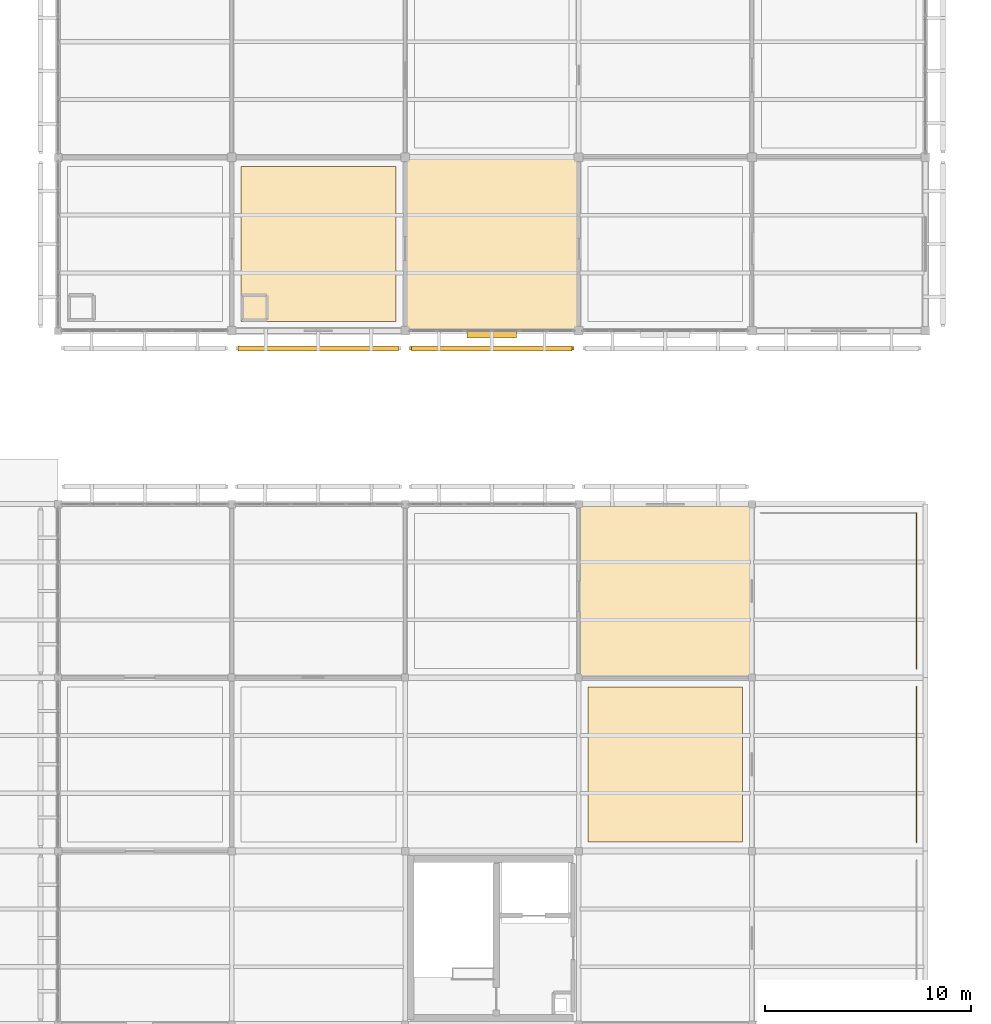
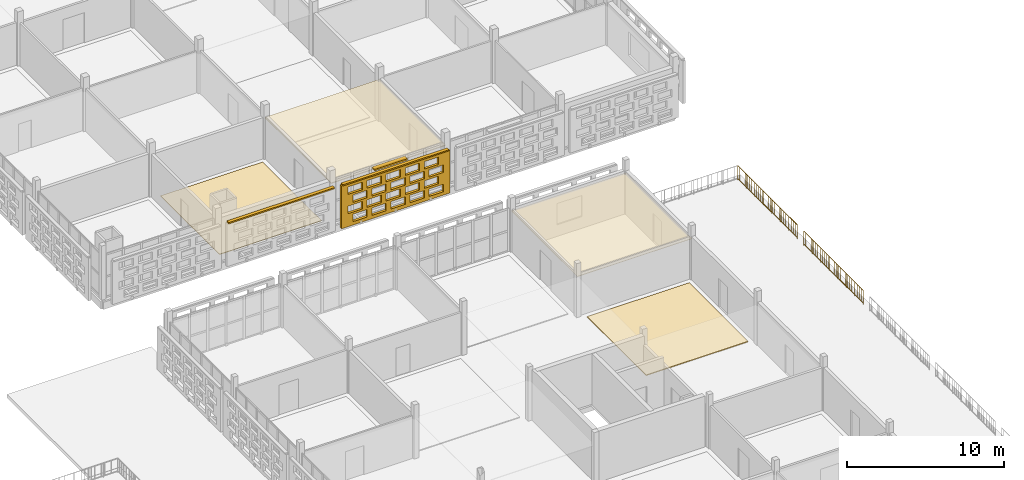
# One storey, part 157 of 166: 5 coverings, 3 shading devices, 2 railings, 20 openings.
"""IFC4 building model written with IfcOpenShell, lengths in metres."""

from ifc_helpers import new_model, si_unit, direction, frame, frame_2d, origin, origin_2d, place, context, subcontext, project, spatial, rectangle, circle, extrude, material, layer, layer_set, type_object, element, save


model = new_model("IFC4")

# Units and contexts
model_context = context("Model", 3, precision=1e-05, world=origin(), true_north=direction((0.0, 1.0)))
body_context = subcontext(model_context, "Body", "Model", "MODEL_VIEW")
ifc_project = project(units=[si_unit("LENGTHUNIT", "METRE"), si_unit("AREAUNIT", "SQUARE_METRE"), si_unit("VOLUMEUNIT", "CUBIC_METRE"), si_unit("PLANEANGLEUNIT", "RADIAN"), si_unit("MASSUNIT", "GRAM", prefix="KILO")], contexts=[model_context])

# Site, building, storey
site_placement = place(None, origin())
site = spatial("IfcSite", under=ifc_project, at=site_placement, CompositionType="ELEMENT")
building_placement = place(site_placement, origin())
building = spatial("IfcBuilding", under=site, at=building_placement, Name="Varnapada Polytechnic", CompositionType="ELEMENT")
storey_placement = place(building_placement, frame((0.0, 0.0, 9.60009765625)))
storey = spatial("IfcBuildingStorey", under=building, at=storey_placement, Name="L02", CompositionType="ELEMENT", Elevation=9.60009765625)

# Coverings
ifc_material_1 = material(Name="Anti-Static Raised Laboratory Flooring")
ifc_layer_1 = layer(ifc_material_1, 0.06005859375)
ifc_layer_set_1 = layer_set([ifc_layer_1], Name="Anti-Static Raised Laboratory Flooring")
covering_type_1 = type_object("IfcCoveringType", Name="Floor Finish FLR-02", PredefinedType="FLOORING", material=ifc_layer_set_1)
covering_1_placement = place(storey_placement, frame((163.800048828125, 37.800048828125, -0.000244140625), z_axis=(0.0, 0.0, 1.0), x_axis=(1.0, 0.0, 0.0)))
element("IfcCovering", 1, at=covering_1_placement, inside=storey, type_object=covering_type_1, Name="L02 floor finish panel (20,5)", PredefinedType="FLOORING", context=body_context, shape_type="SweptSolid", body=[
    extrude(rectangle(XDim=7.5, YDim=7.5, at=origin_2d()), origin(), (0.0, 0.0, 1.0), 0.06005859375),
])
ifc_material_2 = material(Name="Acoustic Rubber Seminar Flooring")
ifc_layer_2 = layer(ifc_material_2, 0.0400390625)
ifc_layer_set_2 = layer_set([ifc_layer_2], Name="Acoustic Rubber Seminar Flooring")
covering_type_2 = type_object("IfcCoveringType", Name="Floor Finish FLR-06", PredefinedType="FLOORING", material=ifc_layer_set_2)
covering_2_placement = place(storey_placement, frame((147.0, 63.0, 0.0), z_axis=(0.0, 0.0, 1.0), x_axis=(1.0, 0.0, 0.0)))
element("IfcCovering", 2, at=covering_2_placement, inside=storey, type_object=covering_type_2, Name="L02 floor finish panel (18,8)", PredefinedType="FLOORING", context=body_context, shape_type="SweptSolid", body=[
    extrude(rectangle(XDim=7.5, YDim=7.5, at=origin_2d()), origin(), (0.0, 0.0, 1.0), 0.0400390625),
])

# Shading device
ifc_material_3 = material(Name="Anodised aluminium", Category="aluminium")
ifc_layer_3 = layer(ifc_material_3, 0.35009765625)
ifc_layer_set_3 = layer_set([ifc_layer_3], Name="Anodised aluminium")
shading_device_type_1 = type_object("IfcShadingDeviceType", Name="Solar Louvre LVR-01", PredefinedType="JALOUSIE", material=ifc_layer_set_3)
shading_device_placement = place(storey_placement, frame((155.39990234375, 58.6201171875, 3.159912109375), z_axis=(0.0, 0.0, 1.0), x_axis=(-1.0, 0.0, 0.0)))
element("IfcShadingDevice", 3, at=shading_device_placement, inside=storey, type_object=shading_device_type_1, Name="L02 aluminium sun louvre 97", PredefinedType="JALOUSIE", context=body_context, shape_type="SweptSolid", body=[
    extrude(rectangle(XDim=2.39990234375, YDim=0.340087890625, at=origin_2d()), origin(), (0.0, 0.0, 1.0), 0.1201171875),
])

# Coverings
ifc_material_4 = material(Name="Moisture-Resistant Aluminum Baffle Ceiling", Category="aluminium")
ifc_layer_4 = layer(ifc_material_4, 0.030029296875)
ifc_layer_set_4 = layer_set([ifc_layer_4], Name="Moisture-Resistant Aluminum Baffle Ceiling")
covering_type_3 = type_object("IfcCoveringType", Name="Suspended Ceiling CLG-03", PredefinedType="CEILING", material=ifc_layer_set_4)
covering_3_placement = place(storey_placement, frame((163.800048828125, 46.199951171875, 3.03466796875), z_axis=(0.0, 0.0, 1.0), x_axis=(1.0, 0.0, 0.0)))
element("IfcCovering", 4, at=covering_3_placement, inside=storey, type_object=covering_type_3, Name="L02 suspended acoustic ceiling (20,6)", PredefinedType="CEILING", context=body_context, shape_type="SweptSolid", body=[
    extrude(rectangle(XDim=8.419921875, YDim=8.419921875, at=origin_2d()), origin(), (0.0, 0.0, 1.0), 0.030029296875),
])
ifc_material_5 = material(Name="Deep Acoustic Auditorium Cloud Baffle")
ifc_layer_5 = layer(ifc_material_5, 0.06494140625)
ifc_layer_set_5 = layer_set([ifc_layer_5], Name="Deep Acoustic Auditorium Cloud Baffle")
covering_type_4 = type_object("IfcCoveringType", Name="Suspended Ceiling CLG-07", PredefinedType="CEILING", material=ifc_layer_set_5)
covering_4_placement = place(storey_placement, frame((155.39990234375, 63.0, 3.017333984375), z_axis=(0.0, 0.0, 1.0), x_axis=(1.0, 0.0, 0.0)))
element("IfcCovering", 5, at=covering_4_placement, inside=storey, type_object=covering_type_4, Name="L02 suspended acoustic ceiling (19,8)", PredefinedType="CEILING", context=body_context, shape_type="SweptSolid", body=[
    extrude(rectangle(XDim=8.419921875, YDim=8.419921875, at=origin_2d()), origin(), (0.0, 0.0, 1.0), 0.06494140625),
])

# Railings
ifc_material_6 = material(Name="Painted galvanized steel", Category="steel")
railing_type = type_object("IfcRailingType", Name="Terrace Guard Rail GRD-01", PredefinedType="BALUSTRADE", material=ifc_material_6)
railing_1_placement = place(storey_placement, frame((175.97998046875, 34.02001953125, 0.0)))
element("IfcRailing", 6, at=railing_1_placement, inside=storey, type_object=railing_type, Name="L02 terrace perimeter guard rail 23", PredefinedType="BALUSTRADE", context=body_context, shape_type="SweptSolid", body=[
    extrude(circle(Radius=0.02392578125, at=origin_2d()), frame((0.0, 0.0, 1.09619140625), z_axis=(0.0, 1.0, 0.0), x_axis=(-1.0, 0.0, 0.0)), (0.0, 0.0, 1.0), 7.56005859375),
    extrude(circle(Radius=0.02392578125, at=origin_2d()), frame((0.0, 0.0, 0.10009765625), z_axis=(0.0, 1.0, 0.0), x_axis=(-1.0, 0.0, 0.0)), (0.0, 0.0, 1.0), 7.56005859375),
    extrude(circle(Radius=0.02099609375, at=origin_2d()), origin(), (0.0, 0.0, 1.0), 1.072021484375),
    extrude(circle(Radius=0.02099609375, at=origin_2d()), frame((0.0, 1.080078125, 0.0)), (0.0, 0.0, 1.0), 1.072021484375),
    extrude(circle(Radius=0.02099609375, at=origin_2d()), frame((0.0, 2.159912109375, 0.0)), (0.0, 0.0, 1.0), 1.072021484375),
    extrude(circle(Radius=0.02099609375, at=origin_2d()), frame((0.0, 3.239990234375, 0.0)), (0.0, 0.0, 1.0), 1.072021484375),
    extrude(circle(Radius=0.02099609375, at=origin_2d()), frame((0.0, 4.320068359375, 0.0)), (0.0, 0.0, 1.0), 1.072021484375),
    extrude(circle(Radius=0.02099609375, at=origin_2d()), frame((0.0, 5.400146484375, 0.0)), (0.0, 0.0, 1.0), 1.072021484375),
    extrude(circle(Radius=0.02099609375, at=origin_2d()), frame((0.0, 6.47998046875, 0.0)), (0.0, 0.0, 1.0), 1.072021484375),
    extrude(circle(Radius=0.02099609375, at=origin_2d()), frame((0.0, 7.56005859375, 0.0)), (0.0, 0.0, 1.0), 1.072021484375),
    extrude(circle(Radius=0.010009765625, at=origin_2d()), frame((0.0, 0.243896484375, 0.10009765625)), (0.0, 0.0, 1.0), 0.971923828125),
    extrude(circle(Radius=0.010009765625, at=origin_2d()), frame((0.0, 0.48779296875, 0.10009765625)), (0.0, 0.0, 1.0), 0.971923828125),
    extrude(circle(Radius=0.010009765625, at=origin_2d()), frame((0.0, 0.731689453125, 0.10009765625)), (0.0, 0.0, 1.0), 0.971923828125),
    extrude(circle(Radius=0.010009765625, at=origin_2d()), frame((0.0, 0.9755859375, 0.10009765625)), (0.0, 0.0, 1.0), 0.971923828125),
    extrude(circle(Radius=0.010009765625, at=origin_2d()), frame((0.0, 1.219482421875, 0.10009765625)), (0.0, 0.0, 1.0), 0.971923828125),
    extrude(circle(Radius=0.010009765625, at=origin_2d()), frame((0.0, 1.463134765625, 0.10009765625)), (0.0, 0.0, 1.0), 0.971923828125),
    extrude(circle(Radius=0.010009765625, at=origin_2d()), frame((0.0, 1.70703125, 0.10009765625)), (0.0, 0.0, 1.0), 0.971923828125),
    extrude(circle(Radius=0.010009765625, at=origin_2d()), frame((0.0, 1.950927734375, 0.10009765625)), (0.0, 0.0, 1.0), 0.971923828125),
    extrude(circle(Radius=0.010009765625, at=origin_2d()), frame((0.0, 2.19482421875, 0.10009765625)), (0.0, 0.0, 1.0), 0.971923828125),
    extrude(circle(Radius=0.010009765625, at=origin_2d()), frame((0.0, 2.438720703125, 0.10009765625)), (0.0, 0.0, 1.0), 0.971923828125),
    extrude(circle(Radius=0.010009765625, at=origin_2d()), frame((0.0, 2.6826171875, 0.10009765625)), (0.0, 0.0, 1.0), 0.971923828125),
    extrude(circle(Radius=0.010009765625, at=origin_2d()), frame((0.0, 2.926513671875, 0.10009765625)), (0.0, 0.0, 1.0), 0.971923828125),
    extrude(circle(Radius=0.010009765625, at=origin_2d()), frame((0.0, 3.17041015625, 0.10009765625)), (0.0, 0.0, 1.0), 0.971923828125),
    extrude(circle(Radius=0.010009765625, at=origin_2d()), frame((0.0, 3.414306640625, 0.10009765625)), (0.0, 0.0, 1.0), 0.971923828125),
    extrude(circle(Radius=0.010009765625, at=origin_2d()), frame((0.0, 3.658203125, 0.10009765625)), (0.0, 0.0, 1.0), 0.971923828125),
    extrude(circle(Radius=0.010009765625, at=origin_2d()), frame((0.0, 3.90185546875, 0.10009765625)), (0.0, 0.0, 1.0), 0.971923828125),
    extrude(circle(Radius=0.010009765625, at=origin_2d()), frame((0.0, 4.145751953125, 0.10009765625)), (0.0, 0.0, 1.0), 0.971923828125),
    extrude(circle(Radius=0.010009765625, at=origin_2d()), frame((0.0, 4.3896484375, 0.10009765625)), (0.0, 0.0, 1.0), 0.971923828125),
    extrude(circle(Radius=0.010009765625, at=origin_2d()), frame((0.0, 4.633544921875, 0.10009765625)), (0.0, 0.0, 1.0), 0.971923828125),
    extrude(circle(Radius=0.010009765625, at=origin_2d()), frame((0.0, 4.87744140625, 0.10009765625)), (0.0, 0.0, 1.0), 0.971923828125),
    extrude(circle(Radius=0.010009765625, at=origin_2d()), frame((0.0, 5.121337890625, 0.10009765625)), (0.0, 0.0, 1.0), 0.971923828125),
    extrude(circle(Radius=0.010009765625, at=origin_2d()), frame((0.0, 5.365234375, 0.10009765625)), (0.0, 0.0, 1.0), 0.971923828125),
    extrude(circle(Radius=0.010009765625, at=origin_2d()), frame((0.0, 5.609130859375, 0.10009765625)), (0.0, 0.0, 1.0), 0.971923828125),
    extrude(circle(Radius=0.010009765625, at=origin_2d()), frame((0.0, 5.85302734375, 0.10009765625)), (0.0, 0.0, 1.0), 0.971923828125),
    extrude(circle(Radius=0.010009765625, at=origin_2d()), frame((0.0, 6.096923828125, 0.10009765625)), (0.0, 0.0, 1.0), 0.971923828125),
    extrude(circle(Radius=0.010009765625, at=origin_2d()), frame((0.0, 6.340576171875, 0.10009765625)), (0.0, 0.0, 1.0), 0.971923828125),
    extrude(circle(Radius=0.010009765625, at=origin_2d()), frame((0.0, 6.58447265625, 0.10009765625)), (0.0, 0.0, 1.0), 0.971923828125),
    extrude(circle(Radius=0.010009765625, at=origin_2d()), frame((0.0, 6.828369140625, 0.10009765625)), (0.0, 0.0, 1.0), 0.971923828125),
    extrude(circle(Radius=0.010009765625, at=origin_2d()), frame((0.0, 7.072265625, 0.10009765625)), (0.0, 0.0, 1.0), 0.971923828125),
    extrude(circle(Radius=0.010009765625, at=origin_2d()), frame((0.0, 7.316162109375, 0.10009765625)), (0.0, 0.0, 1.0), 0.971923828125),
])
railing_2_placement = place(storey_placement, frame((175.97998046875, 42.419921875, 0.0)))
element("IfcRailing", 7, at=railing_2_placement, inside=storey, type_object=railing_type, Name="L02 terrace perimeter guard rail 25", PredefinedType="BALUSTRADE", context=body_context, shape_type="SweptSolid", body=[
    extrude(circle(Radius=0.02392578125, at=origin_2d()), frame((0.0, 0.0, 1.09619140625), z_axis=(0.0, 1.0, 0.0), x_axis=(-1.0, 0.0, 0.0)), (0.0, 0.0, 1.0), 7.56005859375),
    extrude(circle(Radius=0.02392578125, at=origin_2d()), frame((0.0, 0.0, 0.10009765625), z_axis=(0.0, 1.0, 0.0), x_axis=(-1.0, 0.0, 0.0)), (0.0, 0.0, 1.0), 7.56005859375),
    extrude(circle(Radius=0.02099609375, at=origin_2d()), origin(), (0.0, 0.0, 1.0), 1.072021484375),
    extrude(circle(Radius=0.02099609375, at=origin_2d()), frame((0.0, 1.080078125, 0.0)), (0.0, 0.0, 1.0), 1.072021484375),
    extrude(circle(Radius=0.02099609375, at=origin_2d()), frame((0.0, 2.159912109375, 0.0)), (0.0, 0.0, 1.0), 1.072021484375),
    extrude(circle(Radius=0.02099609375, at=origin_2d()), frame((0.0, 3.239990234375, 0.0)), (0.0, 0.0, 1.0), 1.072021484375),
    extrude(circle(Radius=0.02099609375, at=origin_2d()), frame((0.0, 4.320068359375, 0.0)), (0.0, 0.0, 1.0), 1.072021484375),
    extrude(circle(Radius=0.02099609375, at=origin_2d()), frame((0.0, 5.400146484375, 0.0)), (0.0, 0.0, 1.0), 1.072021484375),
    extrude(circle(Radius=0.02099609375, at=origin_2d()), frame((0.0, 6.47998046875, 0.0)), (0.0, 0.0, 1.0), 1.072021484375),
    extrude(circle(Radius=0.02099609375, at=origin_2d()), frame((0.0, 7.56005859375, 0.0)), (0.0, 0.0, 1.0), 1.072021484375),
    extrude(circle(Radius=0.010009765625, at=origin_2d()), frame((0.0, 0.243896484375, 0.10009765625)), (0.0, 0.0, 1.0), 0.971923828125),
    extrude(circle(Radius=0.010009765625, at=origin_2d()), frame((0.0, 0.48779296875, 0.10009765625)), (0.0, 0.0, 1.0), 0.971923828125),
    extrude(circle(Radius=0.010009765625, at=origin_2d()), frame((0.0, 0.731689453125, 0.10009765625)), (0.0, 0.0, 1.0), 0.971923828125),
    extrude(circle(Radius=0.010009765625, at=origin_2d()), frame((0.0, 0.9755859375, 0.10009765625)), (0.0, 0.0, 1.0), 0.971923828125),
    extrude(circle(Radius=0.010009765625, at=origin_2d()), frame((0.0, 1.219482421875, 0.10009765625)), (0.0, 0.0, 1.0), 0.971923828125),
    extrude(circle(Radius=0.010009765625, at=origin_2d()), frame((0.0, 1.463134765625, 0.10009765625)), (0.0, 0.0, 1.0), 0.971923828125),
    extrude(circle(Radius=0.010009765625, at=origin_2d()), frame((0.0, 1.70703125, 0.10009765625)), (0.0, 0.0, 1.0), 0.971923828125),
    extrude(circle(Radius=0.010009765625, at=origin_2d()), frame((0.0, 1.950927734375, 0.10009765625)), (0.0, 0.0, 1.0), 0.971923828125),
    extrude(circle(Radius=0.010009765625, at=origin_2d()), frame((0.0, 2.19482421875, 0.10009765625)), (0.0, 0.0, 1.0), 0.971923828125),
    extrude(circle(Radius=0.010009765625, at=origin_2d()), frame((0.0, 2.438720703125, 0.10009765625)), (0.0, 0.0, 1.0), 0.971923828125),
    extrude(circle(Radius=0.010009765625, at=origin_2d()), frame((0.0, 2.6826171875, 0.10009765625)), (0.0, 0.0, 1.0), 0.971923828125),
    extrude(circle(Radius=0.010009765625, at=origin_2d()), frame((0.0, 2.926513671875, 0.10009765625)), (0.0, 0.0, 1.0), 0.971923828125),
    extrude(circle(Radius=0.010009765625, at=origin_2d()), frame((0.0, 3.17041015625, 0.10009765625)), (0.0, 0.0, 1.0), 0.971923828125),
    extrude(circle(Radius=0.010009765625, at=origin_2d()), frame((0.0, 3.414306640625, 0.10009765625)), (0.0, 0.0, 1.0), 0.971923828125),
    extrude(circle(Radius=0.010009765625, at=origin_2d()), frame((0.0, 3.658203125, 0.10009765625)), (0.0, 0.0, 1.0), 0.971923828125),
    extrude(circle(Radius=0.010009765625, at=origin_2d()), frame((0.0, 3.90185546875, 0.10009765625)), (0.0, 0.0, 1.0), 0.971923828125),
    extrude(circle(Radius=0.010009765625, at=origin_2d()), frame((0.0, 4.145751953125, 0.10009765625)), (0.0, 0.0, 1.0), 0.971923828125),
    extrude(circle(Radius=0.010009765625, at=origin_2d()), frame((0.0, 4.3896484375, 0.10009765625)), (0.0, 0.0, 1.0), 0.971923828125),
    extrude(circle(Radius=0.010009765625, at=origin_2d()), frame((0.0, 4.633544921875, 0.10009765625)), (0.0, 0.0, 1.0), 0.971923828125),
    extrude(circle(Radius=0.010009765625, at=origin_2d()), frame((0.0, 4.87744140625, 0.10009765625)), (0.0, 0.0, 1.0), 0.971923828125),
    extrude(circle(Radius=0.010009765625, at=origin_2d()), frame((0.0, 5.121337890625, 0.10009765625)), (0.0, 0.0, 1.0), 0.971923828125),
    extrude(circle(Radius=0.010009765625, at=origin_2d()), frame((0.0, 5.365234375, 0.10009765625)), (0.0, 0.0, 1.0), 0.971923828125),
    extrude(circle(Radius=0.010009765625, at=origin_2d()), frame((0.0, 5.609130859375, 0.10009765625)), (0.0, 0.0, 1.0), 0.971923828125),
    extrude(circle(Radius=0.010009765625, at=origin_2d()), frame((0.0, 5.85302734375, 0.10009765625)), (0.0, 0.0, 1.0), 0.971923828125),
    extrude(circle(Radius=0.010009765625, at=origin_2d()), frame((0.0, 6.096923828125, 0.10009765625)), (0.0, 0.0, 1.0), 0.971923828125),
    extrude(circle(Radius=0.010009765625, at=origin_2d()), frame((0.0, 6.340576171875, 0.10009765625)), (0.0, 0.0, 1.0), 0.971923828125),
    extrude(circle(Radius=0.010009765625, at=origin_2d()), frame((0.0, 6.58447265625, 0.10009765625)), (0.0, 0.0, 1.0), 0.971923828125),
    extrude(circle(Radius=0.010009765625, at=origin_2d()), frame((0.0, 6.828369140625, 0.10009765625)), (0.0, 0.0, 1.0), 0.971923828125),
    extrude(circle(Radius=0.010009765625, at=origin_2d()), frame((0.0, 7.072265625, 0.10009765625)), (0.0, 0.0, 1.0), 0.971923828125),
    extrude(circle(Radius=0.010009765625, at=origin_2d()), frame((0.0, 7.316162109375, 0.10009765625)), (0.0, 0.0, 1.0), 0.971923828125),
])

# Covering, openings
ifc_material_7 = material(Name="Earth-toned architectural terracotta screen block", Category="masonry")
ifc_layer_6 = layer(ifc_material_7, 0.1201171875)
ifc_layer_set_6 = layer_set([ifc_layer_6], Name="Earth-toned architectural terracotta screen block")
covering_type_5 = type_object("IfcCoveringType", Name="Terracotta Screen Cladding CLD-01", PredefinedType="CLADDING", material=ifc_layer_set_6)
covering_5_placement = place(storey_placement, frame((159.389892578125, 57.949951171875, 0.0), z_axis=(0.0, 0.0, 1.0), x_axis=(-1.0, 0.0, 0.0)))
covering_5 = element("IfcCovering", 8, at=covering_5_placement, inside=storey, type_object=covering_type_5, Name="L02 perforated terracotta block screen (97)", PredefinedType="CLADDING", context=body_context, shape_type="SweptSolid", body=[
    extrude(rectangle(XDim=7.97998046875, YDim=0.179931640625, at=frame_2d((3.989990234375, 0.0))), origin(), (0.0, 0.0, 1.0), 3.31982421875),
])
opening_1_placement = place(covering_5_placement, frame((0.489990234375, 0.0, 0.265625)))
element("IfcOpeningElement", 9, at=opening_1_placement, cuts=covering_5, Name="Screen perforation TBS-L02-096.1", PredefinedType="OPENING", context=body_context, shape_type="SweptSolid", body=[
    extrude(rectangle(XDim=1.0400390625, YDim=0.5810546875, at=frame_2d((0.52001953125, 0.29052734375))), frame((0.0, 0.099853515625, 0.0), z_axis=(0.0, -1.0, 0.0), x_axis=(1.0, 0.0, 0.0)), (0.0, 0.0, 1.0), 0.199951171875),
])
opening_2_placement = place(covering_5_placement, frame((1.889892578125, 0.0, 0.265625)))
element("IfcOpeningElement", 10, at=opening_2_placement, cuts=covering_5, Name="Screen perforation TBS-L02-096.2", PredefinedType="OPENING", context=body_context, shape_type="SweptSolid", body=[
    extrude(rectangle(XDim=1.0400390625, YDim=0.5810546875, at=frame_2d((0.52001953125, 0.29052734375))), frame((0.0, 0.099853515625, 0.0), z_axis=(0.0, -1.0, 0.0), x_axis=(1.0, 0.0, 0.0)), (0.0, 0.0, 1.0), 0.199951171875),
])
opening_3_placement = place(covering_5_placement, frame((3.2900390625, 0.0, 0.265625)))
element("IfcOpeningElement", 11, at=opening_3_placement, cuts=covering_5, Name="Screen perforation TBS-L02-096.3", PredefinedType="OPENING", context=body_context, shape_type="SweptSolid", body=[
    extrude(rectangle(XDim=1.0400390625, YDim=0.5810546875, at=frame_2d((0.52001953125, 0.29052734375))), frame((0.0, 0.099853515625, 0.0), z_axis=(0.0, -1.0, 0.0), x_axis=(1.0, 0.0, 0.0)), (0.0, 0.0, 1.0), 0.199951171875),
])
opening_4_placement = place(covering_5_placement, frame((4.68994140625, 0.0, 0.265625)))
element("IfcOpeningElement", 12, at=opening_4_placement, cuts=covering_5, Name="Screen perforation TBS-L02-096.4", PredefinedType="OPENING", context=body_context, shape_type="SweptSolid", body=[
    extrude(rectangle(XDim=1.0400390625, YDim=0.5810546875, at=frame_2d((0.52001953125, 0.29052734375))), frame((0.0, 0.099853515625, 0.0), z_axis=(0.0, -1.0, 0.0), x_axis=(1.0, 0.0, 0.0)), (0.0, 0.0, 1.0), 0.199951171875),
])
opening_5_placement = place(covering_5_placement, frame((6.090087890625, 0.0, 0.265625)))
element("IfcOpeningElement", 13, at=opening_5_placement, cuts=covering_5, Name="Screen perforation TBS-L02-096.5", PredefinedType="OPENING", context=body_context, shape_type="SweptSolid", body=[
    extrude(rectangle(XDim=1.0400390625, YDim=0.5810546875, at=frame_2d((0.52001953125, 0.29052734375))), frame((0.0, 0.099853515625, 0.0), z_axis=(0.0, -1.0, 0.0), x_axis=(1.0, 0.0, 0.0)), (0.0, 0.0, 1.0), 0.199951171875),
])
opening_6_placement = place(covering_5_placement, frame((0.85009765625, 0.0, 1.0126953125)))
element("IfcOpeningElement", 14, at=opening_6_placement, cuts=covering_5, Name="Screen perforation TBS-L02-096.6", PredefinedType="OPENING", context=body_context, shape_type="SweptSolid", body=[
    extrude(rectangle(XDim=1.0400390625, YDim=0.5810546875, at=frame_2d((0.52001953125, 0.29052734375))), frame((0.0, 0.099853515625, 0.0), z_axis=(0.0, -1.0, 0.0), x_axis=(1.0, 0.0, 0.0)), (0.0, 0.0, 1.0), 0.199951171875),
])
opening_7_placement = place(covering_5_placement, frame((2.25, 0.0, 1.0126953125)))
element("IfcOpeningElement", 15, at=opening_7_placement, cuts=covering_5, Name="Screen perforation TBS-L02-096.7", PredefinedType="OPENING", context=body_context, shape_type="SweptSolid", body=[
    extrude(rectangle(XDim=1.0400390625, YDim=0.5810546875, at=frame_2d((0.52001953125, 0.29052734375))), frame((0.0, 0.099853515625, 0.0), z_axis=(0.0, -1.0, 0.0), x_axis=(1.0, 0.0, 0.0)), (0.0, 0.0, 1.0), 0.199951171875),
])
opening_8_placement = place(covering_5_placement, frame((3.64990234375, 0.0, 1.0126953125)))
element("IfcOpeningElement", 16, at=opening_8_placement, cuts=covering_5, Name="Screen perforation TBS-L02-096.8", PredefinedType="OPENING", context=body_context, shape_type="SweptSolid", body=[
    extrude(rectangle(XDim=1.0400390625, YDim=0.5810546875, at=frame_2d((0.52001953125, 0.29052734375))), frame((0.0, 0.099853515625, 0.0), z_axis=(0.0, -1.0, 0.0), x_axis=(1.0, 0.0, 0.0)), (0.0, 0.0, 1.0), 0.199951171875),
])
opening_9_placement = place(covering_5_placement, frame((5.050048828125, 0.0, 1.0126953125)))
element("IfcOpeningElement", 17, at=opening_9_placement, cuts=covering_5, Name="Screen perforation TBS-L02-096.9", PredefinedType="OPENING", context=body_context, shape_type="SweptSolid", body=[
    extrude(rectangle(XDim=1.0400390625, YDim=0.5810546875, at=frame_2d((0.52001953125, 0.29052734375))), frame((0.0, 0.099853515625, 0.0), z_axis=(0.0, -1.0, 0.0), x_axis=(1.0, 0.0, 0.0)), (0.0, 0.0, 1.0), 0.199951171875),
])
opening_10_placement = place(covering_5_placement, frame((6.449951171875, 0.0, 1.0126953125)))
element("IfcOpeningElement", 18, at=opening_10_placement, cuts=covering_5, Name="Screen perforation TBS-L02-096.10", PredefinedType="OPENING", context=body_context, shape_type="SweptSolid", body=[
    extrude(rectangle(XDim=1.0400390625, YDim=0.5810546875, at=frame_2d((0.52001953125, 0.29052734375))), frame((0.0, 0.099853515625, 0.0), z_axis=(0.0, -1.0, 0.0), x_axis=(1.0, 0.0, 0.0)), (0.0, 0.0, 1.0), 0.199951171875),
])
opening_11_placement = place(covering_5_placement, frame((0.489990234375, 0.0, 1.759521484375)))
element("IfcOpeningElement", 19, at=opening_11_placement, cuts=covering_5, Name="Screen perforation TBS-L02-096.11", PredefinedType="OPENING", context=body_context, shape_type="SweptSolid", body=[
    extrude(rectangle(XDim=1.0400390625, YDim=0.5810546875, at=frame_2d((0.52001953125, 0.29052734375))), frame((0.0, 0.099853515625, 0.0), z_axis=(0.0, -1.0, 0.0), x_axis=(1.0, 0.0, 0.0)), (0.0, 0.0, 1.0), 0.199951171875),
])
opening_12_placement = place(covering_5_placement, frame((1.889892578125, 0.0, 1.759521484375)))
element("IfcOpeningElement", 20, at=opening_12_placement, cuts=covering_5, Name="Screen perforation TBS-L02-096.12", PredefinedType="OPENING", context=body_context, shape_type="SweptSolid", body=[
    extrude(rectangle(XDim=1.0400390625, YDim=0.5810546875, at=frame_2d((0.52001953125, 0.29052734375))), frame((0.0, 0.099853515625, 0.0), z_axis=(0.0, -1.0, 0.0), x_axis=(1.0, 0.0, 0.0)), (0.0, 0.0, 1.0), 0.199951171875),
])
opening_13_placement = place(covering_5_placement, frame((3.2900390625, 0.0, 1.759521484375)))
element("IfcOpeningElement", 21, at=opening_13_placement, cuts=covering_5, Name="Screen perforation TBS-L02-096.13", PredefinedType="OPENING", context=body_context, shape_type="SweptSolid", body=[
    extrude(rectangle(XDim=1.0400390625, YDim=0.5810546875, at=frame_2d((0.52001953125, 0.29052734375))), frame((0.0, 0.099853515625, 0.0), z_axis=(0.0, -1.0, 0.0), x_axis=(1.0, 0.0, 0.0)), (0.0, 0.0, 1.0), 0.199951171875),
])
opening_14_placement = place(covering_5_placement, frame((4.68994140625, 0.0, 1.759521484375)))
element("IfcOpeningElement", 22, at=opening_14_placement, cuts=covering_5, Name="Screen perforation TBS-L02-096.14", PredefinedType="OPENING", context=body_context, shape_type="SweptSolid", body=[
    extrude(rectangle(XDim=1.0400390625, YDim=0.5810546875, at=frame_2d((0.52001953125, 0.29052734375))), frame((0.0, 0.099853515625, 0.0), z_axis=(0.0, -1.0, 0.0), x_axis=(1.0, 0.0, 0.0)), (0.0, 0.0, 1.0), 0.199951171875),
])
opening_15_placement = place(covering_5_placement, frame((6.090087890625, 0.0, 1.759521484375)))
element("IfcOpeningElement", 23, at=opening_15_placement, cuts=covering_5, Name="Screen perforation TBS-L02-096.15", PredefinedType="OPENING", context=body_context, shape_type="SweptSolid", body=[
    extrude(rectangle(XDim=1.0400390625, YDim=0.5810546875, at=frame_2d((0.52001953125, 0.29052734375))), frame((0.0, 0.099853515625, 0.0), z_axis=(0.0, -1.0, 0.0), x_axis=(1.0, 0.0, 0.0)), (0.0, 0.0, 1.0), 0.199951171875),
])
opening_16_placement = place(covering_5_placement, frame((0.85009765625, 0.0, 2.506591796875)))
element("IfcOpeningElement", 24, at=opening_16_placement, cuts=covering_5, Name="Screen perforation TBS-L02-096.16", PredefinedType="OPENING", context=body_context, shape_type="SweptSolid", body=[
    extrude(rectangle(XDim=1.0400390625, YDim=0.5810546875, at=frame_2d((0.52001953125, 0.29052734375))), frame((0.0, 0.099853515625, 0.0), z_axis=(0.0, -1.0, 0.0), x_axis=(1.0, 0.0, 0.0)), (0.0, 0.0, 1.0), 0.199951171875),
])
opening_17_placement = place(covering_5_placement, frame((2.25, 0.0, 2.506591796875)))
element("IfcOpeningElement", 25, at=opening_17_placement, cuts=covering_5, Name="Screen perforation TBS-L02-096.17", PredefinedType="OPENING", context=body_context, shape_type="SweptSolid", body=[
    extrude(rectangle(XDim=1.0400390625, YDim=0.5810546875, at=frame_2d((0.52001953125, 0.29052734375))), frame((0.0, 0.099853515625, 0.0), z_axis=(0.0, -1.0, 0.0), x_axis=(1.0, 0.0, 0.0)), (0.0, 0.0, 1.0), 0.199951171875),
])
opening_18_placement = place(covering_5_placement, frame((3.64990234375, 0.0, 2.506591796875)))
element("IfcOpeningElement", 26, at=opening_18_placement, cuts=covering_5, Name="Screen perforation TBS-L02-096.18", PredefinedType="OPENING", context=body_context, shape_type="SweptSolid", body=[
    extrude(rectangle(XDim=1.0400390625, YDim=0.5810546875, at=frame_2d((0.52001953125, 0.29052734375))), frame((0.0, 0.099853515625, 0.0), z_axis=(0.0, -1.0, 0.0), x_axis=(1.0, 0.0, 0.0)), (0.0, 0.0, 1.0), 0.199951171875),
])
opening_19_placement = place(covering_5_placement, frame((5.050048828125, 0.0, 2.506591796875)))
element("IfcOpeningElement", 27, at=opening_19_placement, cuts=covering_5, Name="Screen perforation TBS-L02-096.19", PredefinedType="OPENING", context=body_context, shape_type="SweptSolid", body=[
    extrude(rectangle(XDim=1.0400390625, YDim=0.5810546875, at=frame_2d((0.52001953125, 0.29052734375))), frame((0.0, 0.099853515625, 0.0), z_axis=(0.0, -1.0, 0.0), x_axis=(1.0, 0.0, 0.0)), (0.0, 0.0, 1.0), 0.199951171875),
])
opening_20_placement = place(covering_5_placement, frame((6.449951171875, 0.0, 2.506591796875)))
element("IfcOpeningElement", 28, at=opening_20_placement, cuts=covering_5, Name="Screen perforation TBS-L02-096.20", PredefinedType="OPENING", context=body_context, shape_type="SweptSolid", body=[
    extrude(rectangle(XDim=1.0400390625, YDim=0.5810546875, at=frame_2d((0.52001953125, 0.29052734375))), frame((0.0, 0.099853515625, 0.0), z_axis=(0.0, -1.0, 0.0), x_axis=(1.0, 0.0, 0.0)), (0.0, 0.0, 1.0), 0.199951171875),
])

# Shading devices
ifc_layer_7 = layer(ifc_material_7, 0.179931640625)
ifc_layer_set_7 = layer_set([ifc_layer_7], Name="Earth-toned architectural terracotta screen block")
shading_device_type_2 = type_object("IfcShadingDeviceType", Name="Terracotta Screen SCR-01", PredefinedType="USERDEFINED", material=ifc_layer_set_7)
for number, where, z_axis, x_axis, name in (
    (29, (147.0, 57.949951171875, 3.309814453125), (0.0, 0.0, 1.0), (-1.0, 0.0, 0.0), "L02 perforated terracotta screen hood 317"),
    (30, (155.39990234375, 57.949951171875, 3.309814453125), (0.0, 0.0, 1.0), (-1.0, 0.0, 0.0), "L02 perforated terracotta screen hood 321"),
):
    element("IfcShadingDevice", number, at=place(storey_placement, frame(where, z_axis=z_axis, x_axis=x_axis)), inside=storey, type_object=shading_device_type_2, Name=name, ObjectType="SCREEN", PredefinedType="USERDEFINED", context=body_context, shape_type="SweptSolid", body=[
        extrude(rectangle(XDim=7.780029296875, YDim=0.239990234375, at=origin_2d()), origin(), (0.0, 0.0, 1.0), 0.10009765625),
    ])

save(model, "model.ifc")
